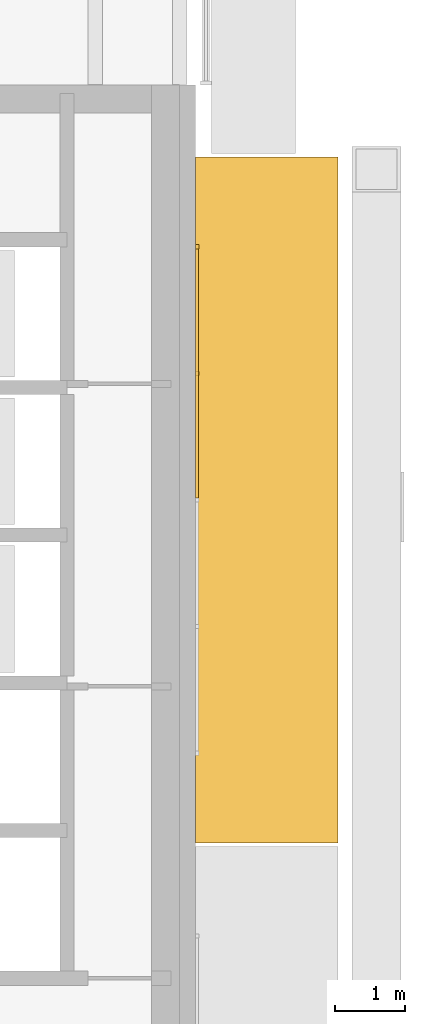
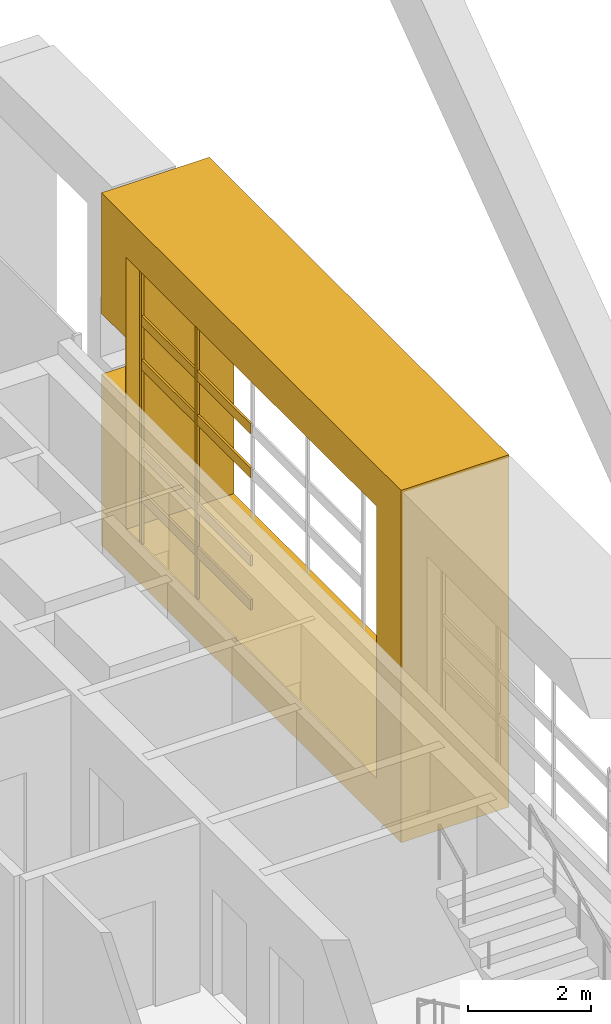
# One storey, part 21 of 23: 7 coverings.
"""IFC4 building model written with IfcOpenShell, lengths in metres."""

from ifc_helpers import new_model, si_unit, direction, frame, origin, origin_2d, place, context, subcontext, project, spatial, polyline, rectangle, outline, extrude, material, type_object, element, save


model = new_model("IFC4")

# Units and contexts
model_context = context("Model", 3, precision=1e-05, world=origin(), true_north=direction((0.0, 1.0)))
body_context = subcontext(model_context, "Body", "Model", "MODEL_VIEW")
ifc_project = project(units=[si_unit("LENGTHUNIT", "METRE"), si_unit("AREAUNIT", "SQUARE_METRE"), si_unit("VOLUMEUNIT", "CUBIC_METRE"), si_unit("PLANEANGLEUNIT", "RADIAN"), si_unit("MASSUNIT", "GRAM", prefix="KILO")], contexts=[model_context])

# Site, building, storey
site_placement = place(None, origin())
site = spatial("IfcSite", under=ifc_project, at=site_placement, CompositionType="ELEMENT")
building_placement = place(site_placement, origin())
building = spatial("IfcBuilding", under=site, at=building_placement, Name="Cobrizo Arcos Hotel Tower", CompositionType="ELEMENT")
storey_placement = place(building_placement, frame((0.0, 0.0, 255.0)))
storey = spatial("IfcBuildingStorey", under=building, at=storey_placement, Name="L67", CompositionType="ELEMENT", Elevation=255.0)

# Coverings
ifc_material_1 = material(Name="Aluminium 6063-T6 anodised bronze", Category="aluminium")
covering_type_1 = type_object("IfcCoveringType", Name="FIN-F 2025", PredefinedType="CLADDING", material=ifc_material_1)
covering_placement = place(storey_placement, frame((20.625, 0.02490234375, 0.0), z_axis=(1.0, 0.0, 0.0), x_axis=(0.0, 1.0, 0.0)))
element("IfcCovering", 1, at=covering_placement, inside=storey, type_object=covering_type_1, Name="Fin frame 389", PredefinedType="CLADDING", context=body_context, shape_type="SweptSolid", body=[
    extrude(outline(polyline([(9.75, 0.0), (9.75, 3.39794921875), (8.972900390625, 3.39794921875), (8.972900390625, 4.60205078125), (9.75, 4.60205078125), (9.75, 7.0), (0.0, 7.0), (0.0, 0.0), (9.75, 0.0)]), holes=[polyline([(8.949951171875, 0.800048828125), (0.800048828125, 0.800048828125), (0.800048828125, 6.199951171875), (8.949951171875, 6.199951171875), (8.949951171875, 0.800048828125)])]), origin(), (0.0, 0.0, 1.0), 2.02490234375),
])
ifc_material_2 = material(Name="Aluminium 6063-T6 anodised pale", Category="aluminium")
covering_type_2 = type_object("IfcCoveringType", Name="RS-2 rainscreen rib 60x50", PredefinedType="CLADDING", material=ifc_material_2)
for number, where, z_axis, x_axis, name in (
    (2, (20.64990234375, 6.699951171875, 0.800048828125), (0.0, 0.0, 1.0), (0.0, 1.0, 0.0), "Rainscreen rib 269"),
    (3, (20.64990234375, 8.5, 0.800048828125), (0.0, 0.0, 1.0), (0.0, 1.0, 0.0), "Rainscreen rib 270"),
):
    element("IfcCovering", number, at=place(storey_placement, frame(where, z_axis=z_axis, x_axis=x_axis)), inside=storey, type_object=covering_type_2, Name=name, PredefinedType="CLADDING", context=body_context, shape_type="SweptSolid", body=[
        extrude(rectangle(XDim=0.06005859375, YDim=0.050048828125, at=origin_2d()), origin(), (0.0, 0.0, 1.0), 5.39990234375),
    ])
covering_type_3 = type_object("IfcCoveringType", Name="RS-3 rainscreen louvre slat 200x40", PredefinedType="CLADDING", material=ifc_material_2)
for number, where, z_axis, x_axis, name in (
    (4, (20.64501953125, 6.699951171875, 1.64990234375), (0.0, 0.0, 1.0), (0.0, 1.0, 0.0), "Rainscreen slat 95"),
    (5, (20.64501953125, 6.699951171875, 2.52490234375), (0.0, 0.0, 1.0), (0.0, 1.0, 0.0), "Rainscreen slat 96"),
    (6, (20.64501953125, 6.699951171875, 4.27490234375), (0.0, 0.0, 1.0), (0.0, 1.0, 0.0), "Rainscreen slat 99"),
    (7, (20.64501953125, 6.699951171875, 5.14990234375), (0.0, 0.0, 1.0), (0.0, 1.0, 0.0), "Rainscreen slat 100"),
):
    element("IfcCovering", number, at=place(storey_placement, frame(where, z_axis=z_axis, x_axis=x_axis)), inside=storey, type_object=covering_type_3, Name=name, PredefinedType="CLADDING", context=body_context, shape_type="SweptSolid", body=[
        extrude(rectangle(XDim=3.5400390625, YDim=0.0400390625, at=origin_2d()), origin(), (0.0, 0.0, 1.0), 0.199951171875),
    ])

save(model, "model.ifc")
